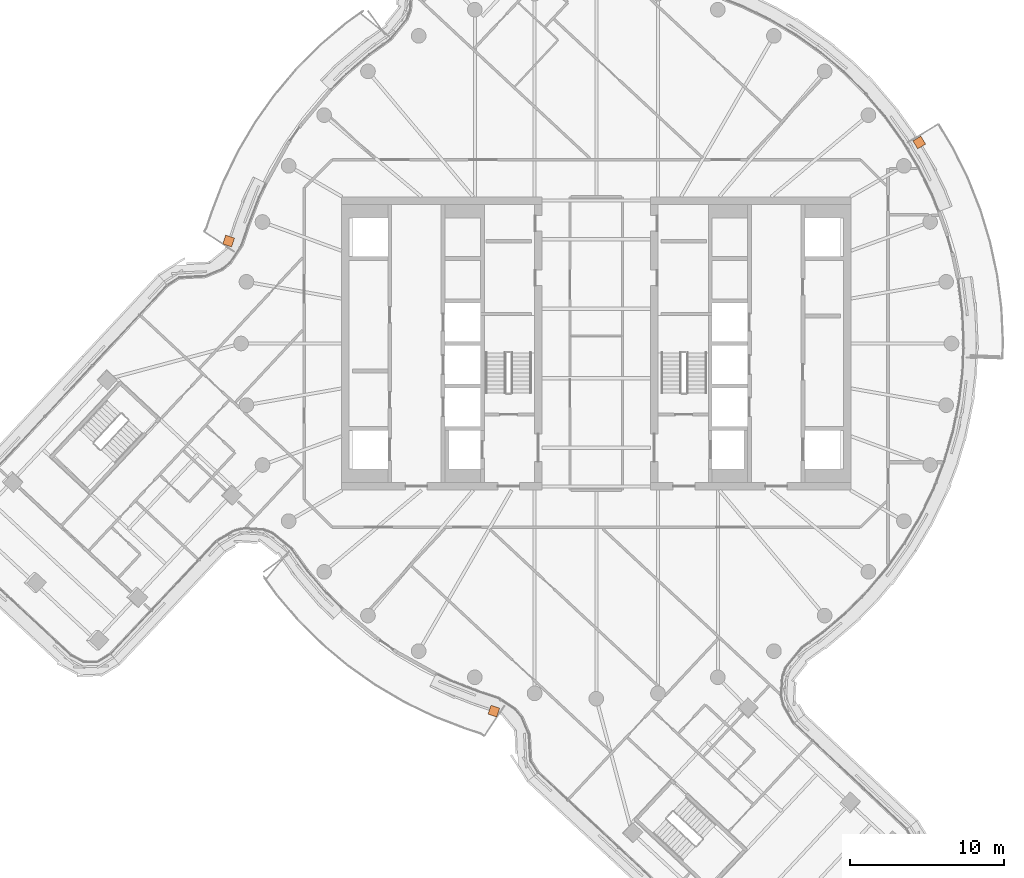
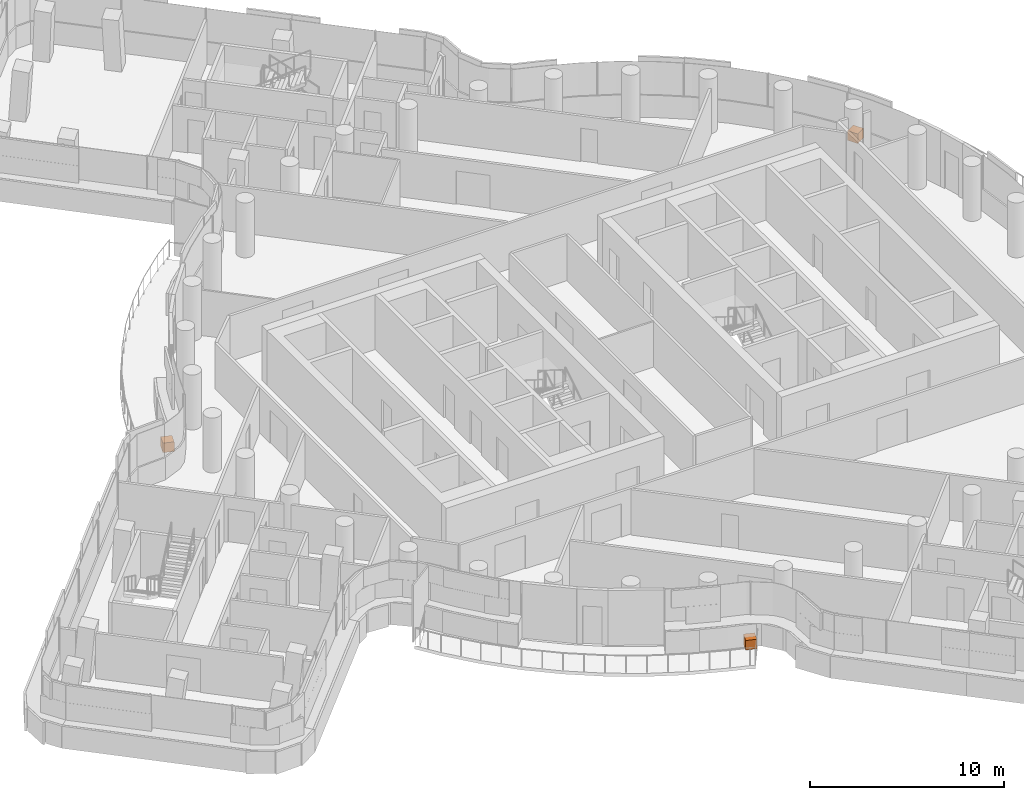
# One storey, part 30 of 30: 3 proxies.
"""IFC4 building model written with IfcOpenShell, lengths in metres."""

from ifc_helpers import new_model, si_unit, direction, frame, origin, origin_2d, place, context, subcontext, project, spatial, rectangle, extrude, material, type_object, element, save


model = new_model("IFC4")

# Units and contexts
model_context = context("Model", 3, precision=1e-05, world=origin(), true_north=direction((0.0, 1.0)))
body_context = subcontext(model_context, "Body", "Model", "MODEL_VIEW")
ifc_project = project(units=[si_unit("LENGTHUNIT", "METRE"), si_unit("AREAUNIT", "SQUARE_METRE"), si_unit("VOLUMEUNIT", "CUBIC_METRE"), si_unit("PLANEANGLEUNIT", "RADIAN"), si_unit("MASSUNIT", "GRAM", prefix="KILO")], contexts=[model_context])

# Site, building, storey
site_placement = place(None, origin())
site = spatial("IfcSite", under=ifc_project, at=site_placement, CompositionType="ELEMENT")
building_placement = place(site_placement, origin())
building = spatial("IfcBuilding", under=site, at=building_placement, Name="Tamarind Cross Interchange Tower", CompositionType="ELEMENT")
storey_placement = place(building_placement, frame((0.0, 0.0, 204.10009765625)))
storey = spatial("IfcBuildingStorey", under=building, at=storey_placement, Name="L51", CompositionType="ELEMENT", Elevation=204.10009765625)

# Proxies
ifc_material = material(Name="Concrete C30", Category="concrete")
building_element_proxy_type = type_object("IfcBuildingElementProxyType", Name="Planter", PredefinedType="USERDEFINED", material=ifc_material)
proxy_1_placement = place(storey_placement, origin())
element("IfcBuildingElementProxy", 1, at=proxy_1_placement, inside=storey, type_object=building_element_proxy_type, Name="PLT-L51-BAL02", ObjectType="Planter", PredefinedType="USERDEFINED", context=body_context, shape_type="SweptSolid", body=[
    extrude(rectangle(XDim=0.60009765625, YDim=0.60009765625, at=origin_2d()), frame((-6.630615234375, -23.8056640625, -0.000244140625), z_axis=(0.0, 0.0, 1.0), x_axis=(0.94859176234, -0.316502240782, 0.0)), (0.0, 0.0, 1.0), 0.60009765625),
])
proxy_2_placement = place(storey_placement, origin())
element("IfcBuildingElementProxy", 2, at=proxy_2_placement, inside=storey, type_object=building_element_proxy_type, Name="PLT-L51-BAL06", ObjectType="Planter", PredefinedType="USERDEFINED", context=body_context, shape_type="SweptSolid", body=[
    extrude(rectangle(XDim=0.60009765625, YDim=0.60009765625, at=origin_2d()), frame((20.910400390625, 13.01171875, -0.000244140625), z_axis=(0.0, 0.0, 1.0), x_axis=(-0.515577308909, 0.856843065292, 0.0)), (0.0, 0.0, 1.0), 0.60009765625),
])
proxy_3_placement = place(storey_placement, origin())
element("IfcBuildingElementProxy", 3, at=proxy_3_placement, inside=storey, type_object=building_element_proxy_type, Name="PLT-L51-BAL10", ObjectType="Planter", PredefinedType="USERDEFINED", context=body_context, shape_type="SweptSolid", body=[
    extrude(rectangle(XDim=0.60009765625, YDim=0.60009765625, at=origin_2d()), frame((-23.8056640625, 6.630615234375, -0.000244140625), z_axis=(0.0, 0.0, 1.0), x_axis=(-0.316502240782, -0.94859176234, 0.0)), (0.0, 0.0, 1.0), 0.60009765625),
])

save(model, "model.ifc")
